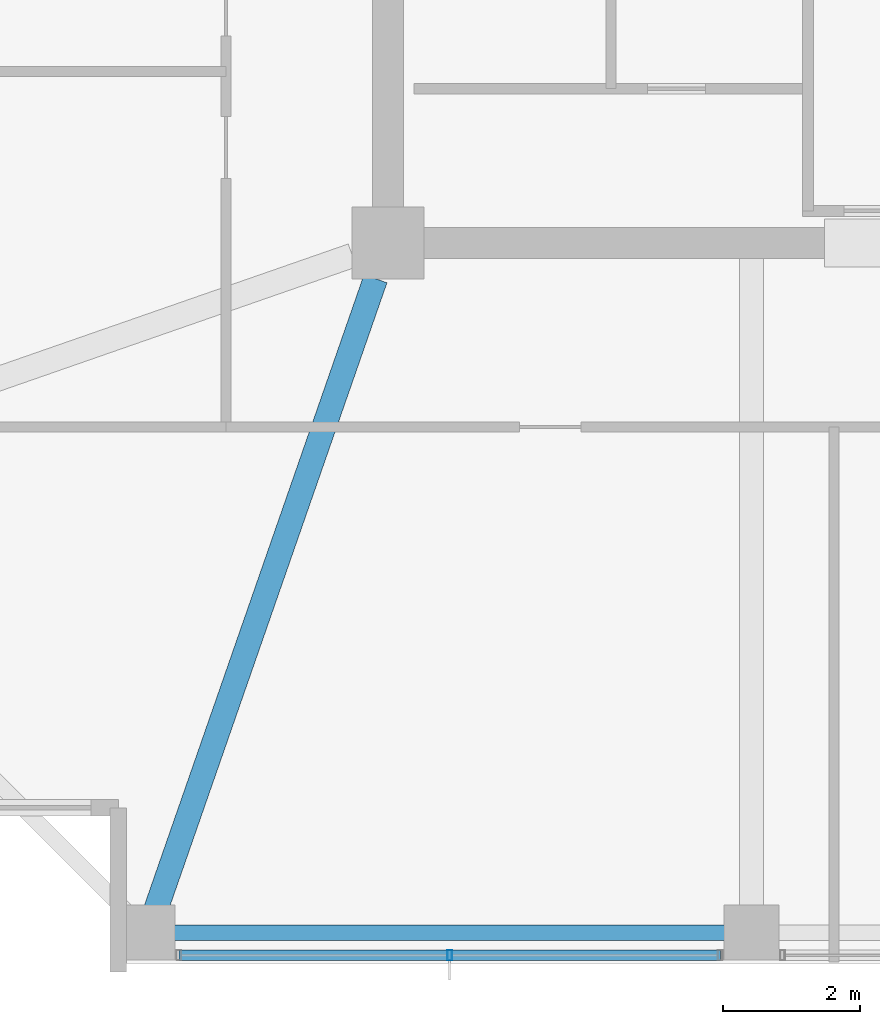
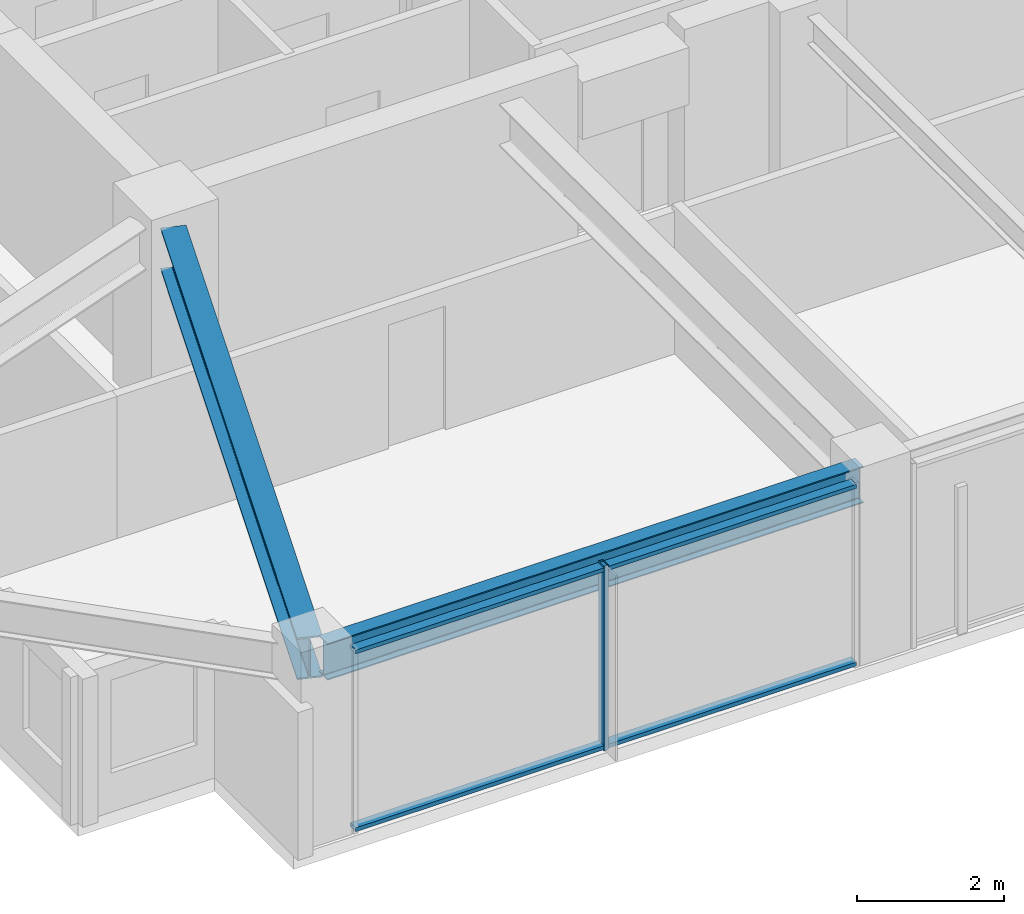
# One storey, part 3 of 34: 3 members, 2 beams, 1 element without a shape of its own.
"""IFC4 building model written with IfcOpenShell, lengths in metres."""

from ifc_helpers import new_model, si_unit, direction, frame, origin, origin_2d, place, context, subcontext, project, spatial, hollow_rectangle, i_section, extrude, material, material_profile, profile_set, type_object, element, aggregate, save


model = new_model("IFC4")

# Units and contexts
model_context = context("Model", 3, precision=1e-05, world=origin(), true_north=direction((0.0, 1.0)))
body_context = subcontext(model_context, "Body", "Model", "MODEL_VIEW")
ifc_project = project(units=[si_unit("LENGTHUNIT", "METRE"), si_unit("AREAUNIT", "SQUARE_METRE"), si_unit("VOLUMEUNIT", "CUBIC_METRE"), si_unit("PLANEANGLEUNIT", "RADIAN"), si_unit("MASSUNIT", "GRAM", prefix="KILO")], contexts=[model_context])

# Site, building, storey
site_placement = place(None, origin())
site = spatial("IfcSite", under=ifc_project, at=site_placement, CompositionType="ELEMENT")
building_placement = place(site_placement, origin())
building = spatial("IfcBuilding", under=site, at=building_placement, Name="Kolvaren Belvedere", CompositionType="ELEMENT")
storey_placement = place(building_placement, frame((0.0, 0.0, 222.89990234375)))
storey = spatial("IfcBuildingStorey", under=building, at=storey_placement, Name="L65", CompositionType="ELEMENT", Elevation=222.89990234375)

# Beams
ifc_material_1 = material(Name="Structural steel ASTM A992 Grade 50", Category="steel")
ifc_material_profile_1 = material_profile(ifc_material_1, i_section(OverallWidth=0.35498046875, OverallDepth=0.696044921875, WebThickness=0.015380859375, FlangeThickness=0.02490234375, FilletRadius=0.02197265625, at=origin_2d()), Name="W27X146")
ifc_profile_set_1 = profile_set([ifc_material_profile_1], Name="Structural steel ASTM A992 Grade 50")
beam_type_1 = type_object("IfcBeamType", Name="BM-GIRD-W27X146", PredefinedType="BEAM", material=ifc_profile_set_1)
beam_1_placement = place(storey_placement, frame((-10.080810546875, -10.41943359375, 2.732177734375), z_axis=(-0.328898147971, -0.944365399758, 0.0), x_axis=(0.944365399758, -0.328898147971, 0.0)))
element("IfcBeam", 1, at=beam_1_placement, inside=storey, type_object=beam_type_1, Name="L65 Corner Core-to-Perimeter Girder CC1-S1", PredefinedType="BEAM", context=body_context, shape_type="SweptSolid", body=[
    extrude(i_section(OverallWidth=0.35498046875, OverallDepth=0.696044921875, WebThickness=0.015380859375, FlangeThickness=0.02490234375, FilletRadius=0.02197265625, at=origin_2d()), origin(), (0.0, 0.0, 1.0), 9.931884765625),
])
ifc_material_2 = material(Name="Structural steel ASTM A992 Grade 50", Category="steel")
ifc_material_profile_2 = material_profile(ifc_material_2, i_section(OverallWidth=0.22900390625, OverallDepth=0.612060546875, WebThickness=0.011962890625, FlangeThickness=0.01953125, FilletRadius=0.01806640625, at=origin_2d()), Name="W24X84")
ifc_profile_set_2 = profile_set([ifc_material_profile_2], Name="Structural steel ASTM A992 Grade 50")
beam_type_2 = type_object("IfcBeamType", Name="BM-SPAN-W24X84", PredefinedType="SPANDREL", material=ifc_profile_set_2)
beam_2_placement = place(storey_placement, frame((-13.219970703125, -19.949951171875, 2.774169921875), z_axis=(1.0, 0.0, 0.0), x_axis=(0.0, 1.0, 0.0)))
element("IfcBeam", 2, at=beam_2_placement, inside=storey, type_object=beam_type_2, Name="L65 Perimeter Spandrel S1-S2", PredefinedType="SPANDREL", context=body_context, shape_type="SweptSolid", body=[
    extrude(i_section(OverallWidth=0.22900390625, OverallDepth=0.612060546875, WebThickness=0.011962890625, FlangeThickness=0.01953125, FilletRadius=0.01806640625, at=origin_2d()), origin(), (0.0, 0.0, 1.0), 8.43994140625),
])

# Curtain wall, members
ifc_material_3 = material(Name="Anodised pale-metal aluminium AA 6063-T6", Category="aluminium")
curtain_wall_type = type_object("IfcCurtainWallType", Name="CW-Z5-HIGH", PredefinedType="NOTDEFINED", material=ifc_material_3)
curtain_wall_placement = place(storey_placement, origin())
curtain_wall = element("IfcCurtainWall", 3, at=curtain_wall_placement, inside=storey, type_object=curtain_wall_type, Name="L65 Unitised Curtain Wall FCW-L65-S-B3", PredefinedType="NOTDEFINED")
ifc_material_4 = material(Name="Anodised pale-metal aluminium AA 6063-T6", Category="aluminium")
ifc_material_profile_3 = material_profile(ifc_material_4, hollow_rectangle(XDim=0.070068359375, YDim=0.14990234375, WallThickness=0.004150390625, at=origin_2d()), Name="ALU-MUL-150X70")
ifc_profile_set_3 = profile_set([ifc_material_profile_3], Name="Anodised pale-metal aluminium AA 6063-T6")
member_type_1 = type_object("IfcMemberType", Name="CW-MUL-150", PredefinedType="MULLION", material=ifc_profile_set_3)
member_1_placement = place(storey_placement, frame((-9.0, -20.280029296875, 0.0), z_axis=(0.0, 0.0, 1.0), x_axis=(1.0, 0.0, 0.0)))
member_1 = element("IfcMember", 4, at=member_1_placement, type_object=member_type_1, Name="FCW-L65-S-B3 Unitised Mullion 2", PredefinedType="MULLION", context=body_context, shape_type="SweptSolid", body=[
    extrude(hollow_rectangle(XDim=0.070068359375, YDim=0.14990234375, WallThickness=0.004150390625, at=origin_2d()), origin(), (0.0, 0.0, 1.0), 3.080078125),
])
ifc_material_5 = material(Name="Anodised pale-metal aluminium AA 6063-T6", Category="aluminium")
ifc_material_profile_4 = material_profile(ifc_material_5, hollow_rectangle(XDim=0.06494140625, YDim=0.14990234375, WallThickness=0.00390625, at=origin_2d()), Name="ALU-TRN-150X65")
ifc_profile_set_4 = profile_set([ifc_material_profile_4], Name="Anodised pale-metal aluminium AA 6063-T6")
member_type_2 = type_object("IfcMemberType", Name="CW-TRN-150", PredefinedType="USERDEFINED", material=ifc_profile_set_4)
member_2_placement = place(storey_placement, frame((-5.054931640625, -20.280029296875, 0.06005859375), z_axis=(-1.0, 0.0, 0.0), x_axis=(0.0, 0.0, 1.0)))
member_2 = element("IfcMember", 5, at=member_2_placement, type_object=member_type_2, Name="FCW-L65-S-B3 Sill Transom", ObjectType="TRANSOM", PredefinedType="USERDEFINED", context=body_context, shape_type="SweptSolid", body=[
    extrude(hollow_rectangle(XDim=0.06494140625, YDim=0.14990234375, WallThickness=0.00390625, at=origin_2d()), origin(), (0.0, 0.0, 1.0), 7.89013671875),
])
member_3_placement = place(storey_placement, frame((-5.054931640625, -20.280029296875, 3.02001953125), z_axis=(-1.0, 0.0, 0.0), x_axis=(0.0, 0.0, 1.0)))
member_3 = element("IfcMember", 6, at=member_3_placement, type_object=member_type_2, Name="FCW-L65-S-B3 Head Transom", ObjectType="TRANSOM", PredefinedType="USERDEFINED", context=body_context, shape_type="SweptSolid", body=[
    extrude(hollow_rectangle(XDim=0.06494140625, YDim=0.14990234375, WallThickness=0.00390625, at=origin_2d()), origin(), (0.0, 0.0, 1.0), 7.89013671875),
])
aggregate(curtain_wall, [member_1, member_2, member_3])

save(model, "model.ifc")
